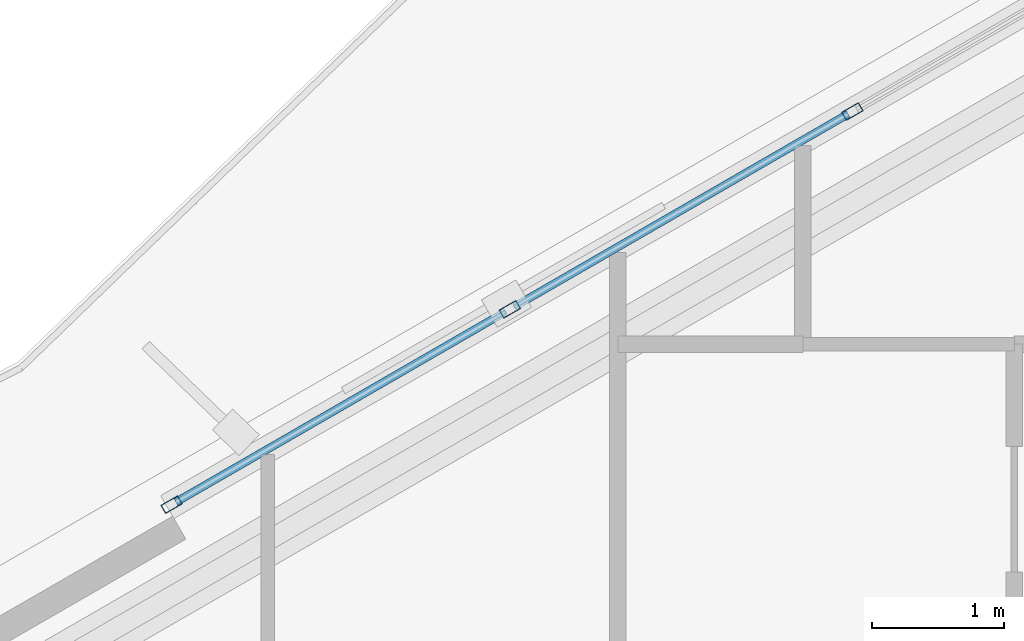
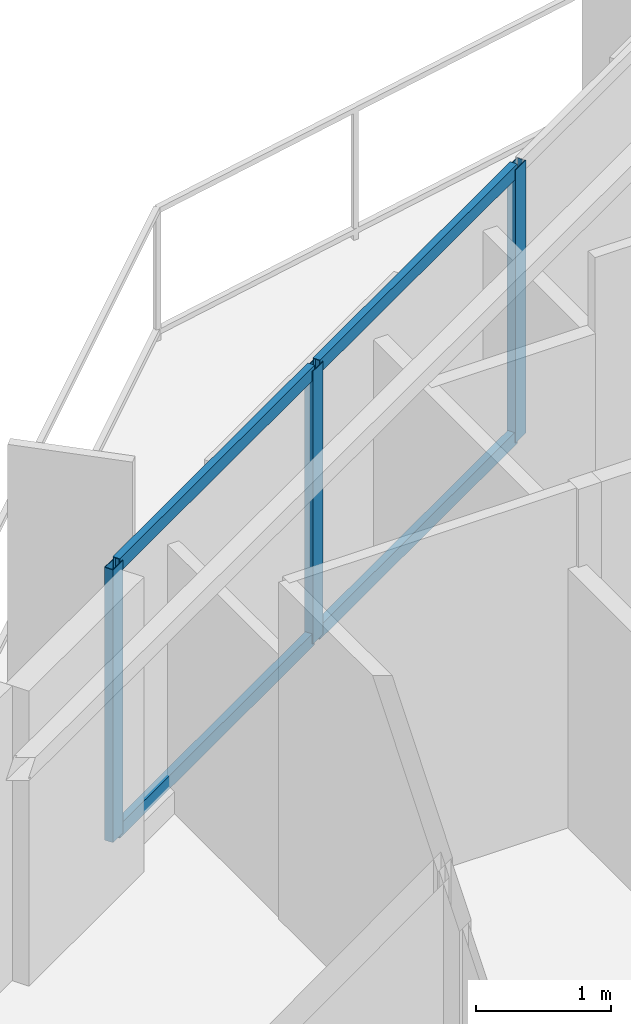
# One storey, part 7 of 18: 7 members, 1 element without a shape of its own.
"""IFC4 building model written with IfcOpenShell, lengths in metres."""

import ifcopenshell
import ifcopenshell.guid

model = None  # the IFC model being written
_history = None  # IfcOwnerHistory: only IFC2X3 demands one
_inside = {}  # id of a spatial element -> (the spatial element, [elements in it])
_under = {}  # id of a project, library or spatial element -> (it, [spatial elements below it])
_declared = {}  # id of a project -> (the project, [libraries it declares])
_typed = {}  # id of a type object -> (the type object, [elements of that type])
_made_of = {}  # id of a material, layer set ... -> (it, [elements and type objects made of it])


def new_model(schema):
    """Start an empty IFC model of exactly this schema.

    Asked for "IFC4X3", IfcOpenShell would pick the latest addendum, in which some entities
    have other attributes; the version numbers below select the first issue.
    IFC2X3 requires an IfcOwnerHistory on every rooted entity: one is made here for all.
    """
    global model, _history
    if schema == "IFC4X3":
        model = ifcopenshell.file(schema_version=(4, 3, 0, 0))
    else:
        model = ifcopenshell.file(schema=schema)
    _inside.clear()
    _under.clear()
    _declared.clear()
    _typed.clear()
    _made_of.clear()
    _history = None
    if model.schema == "IFC2X3":
        org = make("IfcOrganization", Name="unknown")
        user = make(
            "IfcPersonAndOrganization",
            ThePerson=make("IfcPerson", FamilyName="unknown"),
            TheOrganization=org,
        )
        app = make(
            "IfcApplication",
            ApplicationDeveloper=org,
            Version="unknown",
            ApplicationFullName="unknown",
            ApplicationIdentifier="unknown",
        )
        _history = make(
            "IfcOwnerHistory",
            OwningUser=user,
            OwningApplication=app,
            ChangeAction="ADDED",
            CreationDate=0,
        )
    return model


def make(cls, **values):
    """One entity of the class cls with the attributes given. An attribute that is None is left unset."""
    return model.create_entity(
        cls, **{name: value for name, value in values.items() if value is not None}
    )


def rooted(cls, **values):
    """An entity with a GlobalId (a new one), such as an element, a storey or a relation."""
    return make(cls, GlobalId=ifcopenshell.guid.new(), OwnerHistory=_history, **values)


def si_unit(unit_type, name, prefix=None):
    """IfcSIUnit, for example si_unit("LENGTHUNIT", "METRE", prefix="MILLI")."""
    return make("IfcSIUnit", UnitType=unit_type, Prefix=prefix, Name=name)


def assignment(units):
    """IfcUnitAssignment: the units of a project."""
    return None if units is None else make("IfcUnitAssignment", Units=units)


def point(xyz):
    """IfcCartesianPoint."""
    return None if xyz is None else make("IfcCartesianPoint", Coordinates=xyz)


def direction(xyz):
    """IfcDirection."""
    return None if xyz is None else make("IfcDirection", DirectionRatios=xyz)


def frame(location, z_axis=None, x_axis=None):
    """IfcAxis2Placement3D, a coordinate frame: its origin and axes. An axis left out is left unset."""
    return make(
        "IfcAxis2Placement3D",
        Location=point(location),
        Axis=direction(z_axis),
        RefDirection=direction(x_axis),
    )


def frame_2d(location, x_axis=None):
    """IfcAxis2Placement2D, a coordinate frame in the plane: its origin and x axis."""
    return make(
        "IfcAxis2Placement2D", Location=point(location), RefDirection=direction(x_axis)
    )


def origin():
    """The frame at (0, 0, 0) with its axes left unset."""
    return frame((0.0, 0.0, 0.0))


def origin_2d():
    """The frame at (0, 0) in the plane with its x axis left unset."""
    return frame_2d((0.0, 0.0))


def place(relative_to, where):
    """IfcLocalPlacement: puts the frame where relative to a parent placement (None: the world)."""
    return make(
        "IfcLocalPlacement", PlacementRelTo=relative_to, RelativePlacement=where
    )


def context(
    kind, dimensions, precision=None, world=None, true_north=None, identifier=None
):
    """IfcGeometricRepresentationContext, for example the 3D "Model" context."""
    return make(
        "IfcGeometricRepresentationContext",
        ContextIdentifier=identifier,
        ContextType=kind,
        CoordinateSpaceDimension=dimensions,
        Precision=precision,
        WorldCoordinateSystem=world,
        TrueNorth=true_north,
    )


def subcontext(parent, identifier, kind, view, scale=None):
    """IfcGeometricRepresentationSubContext, for example "Body" below "Model"."""
    return make(
        "IfcGeometricRepresentationSubContext",
        ContextIdentifier=identifier,
        ContextType=kind,
        ParentContext=parent,
        TargetScale=scale,
        TargetView=view,
    )


def project(units=None, contexts=None):
    """IfcProject with its units and contexts."""
    return rooted(
        "IfcProject",
        Name="project",
        RepresentationContexts=contexts,
        UnitsInContext=assignment(units),
    )


def spatial(cls, under=None, at=None, **own):
    """A site, building, storey or space (cls), placed at a placement, below another one or the project."""
    s = rooted(cls, ObjectPlacement=at, **own)
    if under is not None:
        _under.setdefault(under.id(), (under, []))[1].append(s)
    return s


def profile(cls, at=None, kind="AREA", **sizes):
    """A parametric profile (cls). Its sizes go by their IFC names, for example OverallWidth=200.0."""
    return make(cls, ProfileType=kind, Position=at, **sizes)


def hollow_rectangle(**sizes):
    """IfcRectangleHollowProfileDef."""
    return profile("IfcRectangleHollowProfileDef", **sizes)


def extrude(swept, where, along, depth):
    """IfcExtrudedAreaSolid: the profile swept, set in the frame where, extruded along a direction by depth."""
    return make(
        "IfcExtrudedAreaSolid",
        SweptArea=swept,
        Position=where,
        ExtrudedDirection=direction(along),
        Depth=depth,
    )


def shape(context_of_items, identifier, shape_type, items):
    """IfcShapeRepresentation: the items that make up one representation, for example the "Body"."""
    return make(
        "IfcShapeRepresentation",
        ContextOfItems=context_of_items,
        RepresentationIdentifier=identifier,
        RepresentationType=shape_type,
        Items=items,
    )


def material(Name=None, Category=None):
    """IfcMaterial."""
    return make("IfcMaterial", Name=Name, Category=Category)


def layer(
    of_material, thickness, ventilated=None, Name=None, Category=None, Priority=None
):
    """IfcMaterialLayer: one layer of a wall or slab, of a material (None: an air gap)."""
    return make(
        "IfcMaterialLayer",
        Material=of_material,
        LayerThickness=thickness,
        IsVentilated=ventilated,
        Name=Name,
        Category=Category,
        Priority=Priority,
    )


def layer_set(layers, Name=None):
    """IfcMaterialLayerSet."""
    return make("IfcMaterialLayerSet", MaterialLayers=layers, LayerSetName=Name)


def material_profile(
    of_material, cross_section, Name=None, Category=None, Priority=None
):
    """IfcMaterialProfile: a cross section and its material."""
    return make(
        "IfcMaterialProfile",
        Name=Name,
        Material=of_material,
        Profile=cross_section,
        Priority=Priority,
        Category=Category,
    )


def profile_set(profiles, Name=None, composite=None):
    """IfcMaterialProfileSet."""
    return make(
        "IfcMaterialProfileSet",
        Name=Name,
        MaterialProfiles=profiles,
        CompositeProfile=composite,
    )


def made_of(thing, what):
    """Note that an element or type object is made of a material, layer set ...; save() writes the relation."""
    if what is not None:
        _made_of.setdefault(what.id(), (what, []))[1].append(thing)
    return thing


def type_object(cls, material=None, **own):
    """A type object (cls), such as IfcWallType, which elements share."""
    return made_of(rooted(cls, **own), material)


def element(
    cls,
    number,
    at=None,
    inside=None,
    cuts=None,
    type_object=None,
    material=None,
    context=None,
    identifier="Body",
    shape_type=None,
    held_by="IfcProductDefinitionShape",
    body=None,
    shapes=None,
    **own,
):
    """One element of the class cls, such as IfcWall. Its Tag is "e" and its number.

    at: its placement. inside: the storey or other place that contains it. cuts: it is an
    opening in that element (IfcRelVoidsElement). A single representation is given by context,
    identifier, shape_type and body (its items); several are given by shapes. held_by: the class
    of the entity that holds the representations. save() writes the other relations.
    """
    e = rooted(cls, Tag="e%d" % number, ObjectPlacement=at, **own)
    if body is not None:
        shapes = [shape(context, identifier, shape_type, body)]
    if shapes is not None:
        e.Representation = make(held_by, Representations=shapes)
    if inside is not None:
        _inside.setdefault(inside.id(), (inside, []))[1].append(e)
    if cuts is not None:
        rooted(
            "IfcRelVoidsElement", RelatingBuildingElement=cuts, RelatedOpeningElement=e
        )
    if type_object is not None:
        _typed.setdefault(type_object.id(), (type_object, []))[1].append(e)
    return made_of(e, material)


def aggregate(whole, parts):
    """IfcRelAggregates: a whole, such as a stair, and the parts it consists of."""
    return rooted("IfcRelAggregates", RelatingObject=whole, RelatedObjects=parts)


def save(model, path):
    """Write the relations noted so far, then the file.

    IfcRelAggregates (storeys below a building ...), IfcRelContainedInSpatialStructure (elements
    in a storey), IfcRelDefinesByType, IfcRelAssociatesMaterial and IfcRelDeclares: one each for
    every whole, place, type object, material and project.
    """
    for whole, parts in _under.values():
        aggregate(whole, parts)
    for where, things in _inside.values():
        rooted(
            "IfcRelContainedInSpatialStructure",
            RelatedElements=things,
            RelatingStructure=where,
        )
    for kind, things in _typed.values():
        rooted("IfcRelDefinesByType", RelatedObjects=things, RelatingType=kind)
    for what, things in _made_of.values():
        rooted("IfcRelAssociatesMaterial", RelatedObjects=things, RelatingMaterial=what)
    for by, libraries in _declared.values():
        rooted("IfcRelDeclares", RelatingContext=by, RelatedDefinitions=libraries)
    model.write(path)


model = new_model("IFC4")

# Units and contexts
model_context = context("Model", 3, precision=1e-05, world=origin(), true_north=direction((0.0, 1.0)))
body_context = subcontext(model_context, "Body", "Model", "MODEL_VIEW")
ifc_project = project(units=[si_unit("LENGTHUNIT", "METRE"), si_unit("AREAUNIT", "SQUARE_METRE"), si_unit("VOLUMEUNIT", "CUBIC_METRE"), si_unit("PLANEANGLEUNIT", "RADIAN"), si_unit("MASSUNIT", "GRAM", prefix="KILO")], contexts=[model_context])

# Site, building, storey
site_placement = place(None, origin())
site = spatial("IfcSite", under=ifc_project, at=site_placement, CompositionType="ELEMENT")
building_placement = place(site_placement, origin())
building = spatial("IfcBuilding", under=site, at=building_placement, Name="Mersakhor Tower and Convention Hall", CompositionType="ELEMENT")
storey_placement = place(building_placement, frame((0.0, 0.0, 35.699951171875)))
storey = spatial("IfcBuildingStorey", under=building, at=storey_placement, Name="L09", CompositionType="ELEMENT", Elevation=35.699951171875)

# Curtain wall, members
ifc_material_1 = material(Name="Dark solar low-E aluminium curtain wall", Category="aluminium")
ifc_layer = layer(ifc_material_1, 0.159912109375)
ifc_layer_set = layer_set([ifc_layer], Name="Dark solar low-E aluminium curtain wall")
curtain_wall_type = type_object("IfcCurtainWallType", Name="CW-SYS-01", PredefinedType="USERDEFINED", material=ifc_layer_set)
curtain_wall_placement = place(storey_placement, origin())
curtain_wall = element("IfcCurtainWall", 1, at=curtain_wall_placement, inside=storey, type_object=curtain_wall_type, Name="L09 Dark-Glass Curtain Wall F1-B2", ObjectType="CURTAIN WALL", PredefinedType="USERDEFINED")
ifc_material_2 = material(Name="Anodised aluminium EN AW-6063 T6", Category="aluminium")
ifc_material_profile_1 = material_profile(ifc_material_2, hollow_rectangle(XDim=0.074951171875, YDim=0.14990234375, WallThickness=0.00634765625, at=origin_2d()), Name="RHS 150x75x6.3")
ifc_profile_set_1 = profile_set([ifc_material_profile_1], Name="Anodised aluminium EN AW-6063 T6")
member_type_1 = type_object("IfcMemberType", Name="CWM-150x75", PredefinedType="MULLION", material=ifc_profile_set_1)
member_1_placement = place(storey_placement, frame((16.423095703125, 36.635986328125, 0.199951171875), z_axis=(0.0, 0.0, 1.0), x_axis=(-0.50000344889, 0.866023412558, 0.0)))
member_1 = element("IfcMember", 2, at=member_1_placement, type_object=member_type_1, Name="CW-01 mullion 1", PredefinedType="MULLION", context=body_context, shape_type="SweptSolid", body=[
    extrude(hollow_rectangle(XDim=0.074951171875, YDim=0.14990234375, WallThickness=0.00634765625, at=origin_2d()), origin(), (0.0, 0.0, 1.0), 2.460205078125),
])
member_2_placement = place(storey_placement, frame((18.982666015625, 38.11376953125, 0.199951171875), z_axis=(0.0, 0.0, 1.0), x_axis=(-0.50000344889, 0.866023412558, 0.0)))
member_2 = element("IfcMember", 3, at=member_2_placement, type_object=member_type_1, Name="CW-01 mullion 2", PredefinedType="MULLION", context=body_context, shape_type="SweptSolid", body=[
    extrude(hollow_rectangle(XDim=0.074951171875, YDim=0.14990234375, WallThickness=0.00634765625, at=origin_2d()), origin(), (0.0, 0.0, 1.0), 2.460205078125),
])
member_3_placement = place(storey_placement, frame((21.574951171875, 39.610595703125, 0.199951171875), z_axis=(0.0, 0.0, 1.0), x_axis=(-0.50000344889, 0.866023412558, 0.0)))
member_3 = element("IfcMember", 4, at=member_3_placement, type_object=member_type_1, Name="CW-01 mullion 3", PredefinedType="MULLION", context=body_context, shape_type="SweptSolid", body=[
    extrude(hollow_rectangle(XDim=0.074951171875, YDim=0.14990234375, WallThickness=0.00634765625, at=origin_2d()), origin(), (0.0, 0.0, 1.0), 2.460205078125),
])
ifc_material_3 = material(Name="Anodised aluminium EN AW-6063 T6", Category="aluminium")
ifc_material_profile_2 = material_profile(ifc_material_3, hollow_rectangle(XDim=0.06005859375, YDim=0.1201171875, WallThickness=0.0048828125, at=origin_2d()), Name="RHS 120x60x5")
ifc_profile_set_2 = profile_set([ifc_material_profile_2], Name="Anodised aluminium EN AW-6063 T6")
member_type_2 = type_object("IfcMemberType", Name="CWT-120x60", PredefinedType="USERDEFINED", material=ifc_profile_set_2)
member_4_placement = place(storey_placement, frame((16.45556640625, 36.65478515625, 0.22998046875), z_axis=(0.866002100865, 0.500040359669, 0.0), x_axis=(-0.500040359669, 0.866002100865, 0.0)))
member_4 = element("IfcMember", 5, at=member_4_placement, type_object=member_type_2, Name="CW-01 transom 1.1", ObjectType="TRANSOM", PredefinedType="USERDEFINED", context=body_context, shape_type="SweptSolid", body=[
    extrude(hollow_rectangle(XDim=0.06005859375, YDim=0.1201171875, WallThickness=0.0048828125, at=origin_2d()), origin(), (0.0, 0.0, 1.0), 2.880615234375),
])
member_5_placement = place(storey_placement, frame((16.45556640625, 36.65478515625, 2.630126953125), z_axis=(0.866002100865, 0.500040359669, 0.0), x_axis=(-0.500040359669, 0.866002100865, 0.0)))
member_5 = element("IfcMember", 6, at=member_5_placement, type_object=member_type_2, Name="CW-01 transom 1.2", ObjectType="TRANSOM", PredefinedType="USERDEFINED", context=body_context, shape_type="SweptSolid", body=[
    extrude(hollow_rectangle(XDim=0.06005859375, YDim=0.1201171875, WallThickness=0.0048828125, at=origin_2d()), origin(), (0.0, 0.0, 1.0), 2.880615234375),
])
member_6_placement = place(storey_placement, frame((19.01513671875, 38.132568359375, 0.22998046875), z_axis=(0.866015622527, 0.500016941252, 0.0), x_axis=(-0.500016941252, 0.866015622527, 0.0)))
member_6 = element("IfcMember", 7, at=member_6_placement, type_object=member_type_2, Name="CW-01 transom 2.1", ObjectType="TRANSOM", PredefinedType="USERDEFINED", context=body_context, shape_type="SweptSolid", body=[
    extrude(hollow_rectangle(XDim=0.06005859375, YDim=0.1201171875, WallThickness=0.0048828125, at=origin_2d()), origin(), (0.0, 0.0, 1.0), 2.91845703125),
])
member_7_placement = place(storey_placement, frame((19.01513671875, 38.132568359375, 2.630126953125), z_axis=(0.866015622527, 0.500016941252, 0.0), x_axis=(-0.500016941252, 0.866015622527, 0.0)))
member_7 = element("IfcMember", 8, at=member_7_placement, type_object=member_type_2, Name="CW-01 transom 2.2", ObjectType="TRANSOM", PredefinedType="USERDEFINED", context=body_context, shape_type="SweptSolid", body=[
    extrude(hollow_rectangle(XDim=0.06005859375, YDim=0.1201171875, WallThickness=0.0048828125, at=origin_2d()), origin(), (0.0, 0.0, 1.0), 2.91845703125),
])
aggregate(curtain_wall, [member_1, member_2, member_3, member_4, member_5, member_6, member_7])

save(model, "model.ifc")
